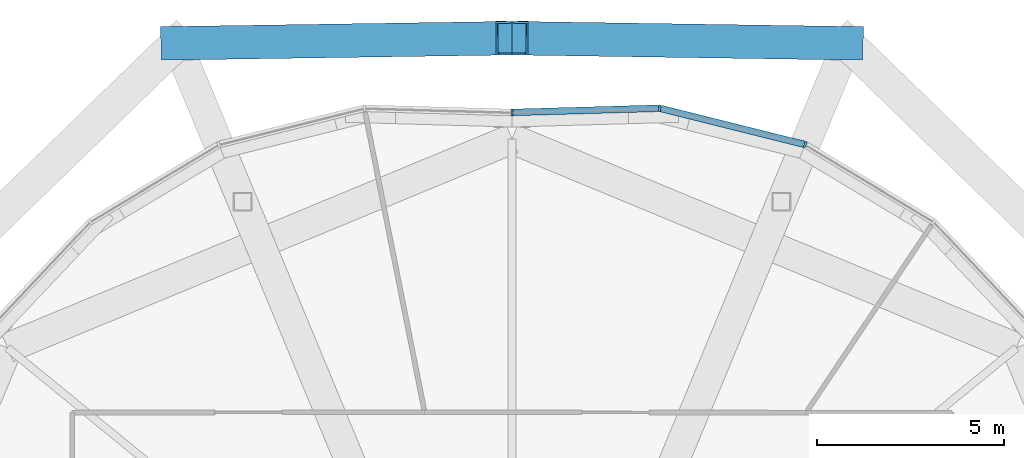
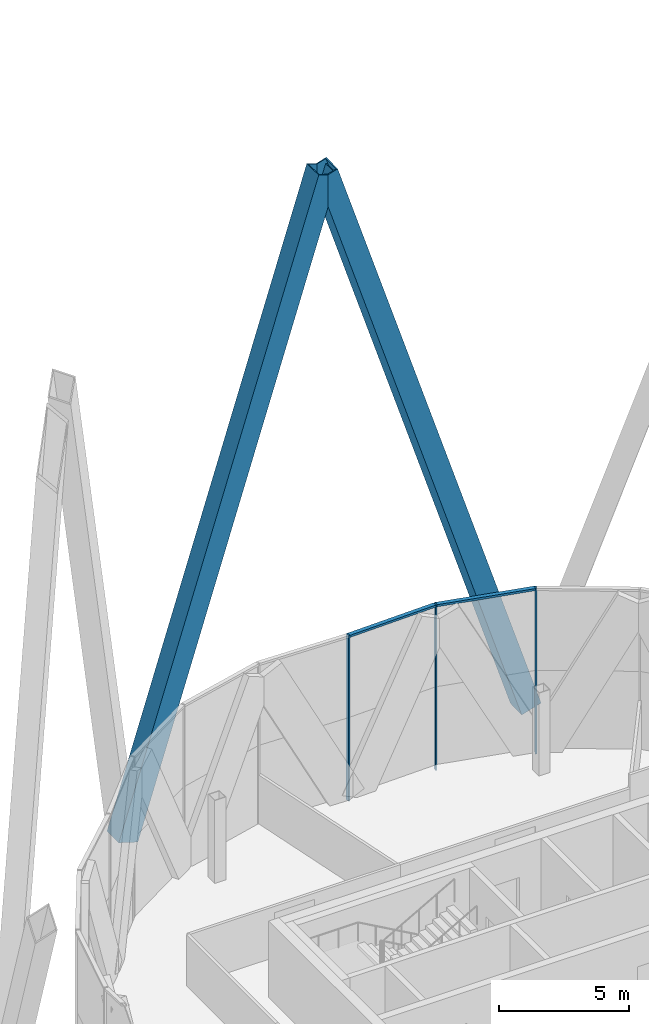
# One storey, part 20 of 53: 7 members, 1 element without a shape of its own.
"""IFC4 building model written with IfcOpenShell, lengths in metres."""

from ifc_helpers import new_model, si_unit, direction, frame, origin, origin_2d, place, context, subcontext, project, spatial, rectangle, hollow_rectangle, extrude, material, material_profile, profile_set, type_object, element, aggregate, save


model = new_model("IFC4")

# Units and contexts
model_context = context("Model", 3, precision=1e-05, world=origin(), true_north=direction((0.0, 1.0)))
body_context = subcontext(model_context, "Body", "Model", "MODEL_VIEW")
ifc_project = project(units=[si_unit("LENGTHUNIT", "METRE"), si_unit("AREAUNIT", "SQUARE_METRE"), si_unit("VOLUMEUNIT", "CUBIC_METRE"), si_unit("PLANEANGLEUNIT", "RADIAN"), si_unit("MASSUNIT", "GRAM", prefix="KILO")], contexts=[model_context])

# Site, building, storey
site_placement = place(None, origin())
site = spatial("IfcSite", under=ifc_project, at=site_placement, CompositionType="ELEMENT")
building_placement = place(site_placement, origin())
building = spatial("IfcBuilding", under=site, at=building_placement, Name="Ogive Gate Towers", CompositionType="ELEMENT")
storey_placement = place(building_placement, frame((0.0, 0.0, 240.60009765625)))
storey = spatial("IfcBuildingStorey", under=building, at=storey_placement, Name="L57", CompositionType="ELEMENT", Elevation=240.60009765625)

# Members
ifc_material_1 = material(Name="Steel SM460", Category="steel")
ifc_material_profile_1 = material_profile(ifc_material_1, hollow_rectangle(XDim=0.89990234375, YDim=0.89990234375, WallThickness=0.050048828125, at=origin_2d()), Name="BX 900x900x50")
ifc_profile_set_1 = profile_set([ifc_material_profile_1], Name="Steel SM460")
member_type_1 = type_object("IfcMemberType", Name="Diagrid diagonal BX 900x900x50", PredefinedType="BRACE", material=ifc_profile_set_1)
for number, where, z_axis, x_axis, name in (
    (1, (-27.022216796875, 21.67431640625, 0.0), (-0.303356073086, 0.00458667981, 0.952866231582), (-0.015118061019, -0.999885715585, 0.0), "T1/L57/SDG004"),
    (2, (-44.977783203125, 21.67431640625, 0.0), (0.303356073086, 0.00458667981, 0.952866231582), (-0.015118061019, 0.999885715585, 0.0), "T1/L57/SDG005"),
):
    element("IfcMember", number, at=place(storey_placement, frame(where, z_axis=z_axis, x_axis=x_axis)), inside=storey, type_object=member_type_1, Name=name, PredefinedType="BRACE", context=body_context, shape_type="SweptSolid", body=[
        extrude(hollow_rectangle(XDim=0.89990234375, YDim=0.89990234375, WallThickness=0.050048828125, at=origin_2d()), origin(), (0.0, 0.0, 1.0), 29.594970703125),
    ])

# Curtain wall, members
ifc_material_2 = material(Name="Pale metal aluminium", Category="aluminium")
curtain_wall_type = type_object("IfcCurtainWallType", Name="Tower unitised wall, high zone", PredefinedType="NOTDEFINED", material=ifc_material_2)
curtain_wall_placement = place(storey_placement, origin())
curtain_wall = element("IfcCurtainWall", 3, at=curtain_wall_placement, inside=storey, type_object=curtain_wall_type, Name="CW2 T1 ECW04", PredefinedType="NOTDEFINED")
ifc_material_profile_2 = material_profile(ifc_material_2, rectangle(XDim=0.179931640625, YDim=0.06005859375, at=origin_2d()), Name="60 x 180 aluminium box")
ifc_profile_set_2 = profile_set([ifc_material_profile_2], Name="Pale metal aluminium")
member_type_2 = type_object("IfcMemberType", Name="Tower unitised wall, high zone mullion 60 x 180", PredefinedType="MULLION", material=ifc_profile_set_2)
member_1_placement = place(storey_placement, frame((-36.000244140625, 19.820068359375, -0.300048828125), z_axis=(0.0, 0.0, 1.0), x_axis=(0.028322905681, -0.999598826037, 0.0)))
member_1 = element("IfcMember", 4, at=member_1_placement, type_object=member_type_2, Name="CW2 mullion", PredefinedType="MULLION", context=body_context, shape_type="SweptSolid", body=[
    extrude(rectangle(XDim=0.179931640625, YDim=0.06005859375, at=origin_2d()), origin(), (0.0, 0.0, 1.0), 7.800048828125),
])
member_2_placement = place(storey_placement, frame((-32.045166015625, 19.931884765625, -0.300048828125), z_axis=(0.0, 0.0, 1.0), x_axis=(-0.107912599257, -0.994160384909, 0.0)))
member_2 = element("IfcMember", 5, at=member_2_placement, type_object=member_type_2, Name="CW2 mullion", PredefinedType="MULLION", context=body_context, shape_type="SweptSolid", body=[
    extrude(rectangle(XDim=0.179931640625, YDim=0.06005859375, at=origin_2d()), origin(), (0.0, 0.0, 1.0), 7.800048828125),
])
member_3_placement = place(storey_placement, frame((-28.14697265625, 18.958984375, -0.300048828125), z_axis=(0.0, 0.0, 1.0), x_axis=(-0.382683432365, -0.923879532511, 0.0)))
member_3 = element("IfcMember", 6, at=member_3_placement, type_object=member_type_2, Name="CW2 mullion", PredefinedType="MULLION", context=body_context, shape_type="SweptSolid", body=[
    extrude(rectangle(XDim=0.179931640625, YDim=0.06005859375, at=origin_2d()), origin(), (0.0, 0.0, 1.0), 7.800048828125),
])
ifc_material_profile_3 = material_profile(ifc_material_2, rectangle(XDim=0.179931640625, YDim=0.10009765625, at=origin_2d()), Name="100 x 180 aluminium box")
ifc_profile_set_3 = profile_set([ifc_material_profile_3], Name="Pale metal aluminium")
member_type_3 = type_object("IfcMemberType", Name="Tower unitised wall, high zone transom 100 x 180", PredefinedType="USERDEFINED", material=ifc_profile_set_3)
member_4_placement = place(storey_placement, frame((-35.97021484375, 19.82080078125, 7.449951171875), z_axis=(0.999598604155, 0.028330735458, 0.0), x_axis=(-0.028330735458, 0.999598604155, 0.0)))
member_4 = element("IfcMember", 7, at=member_4_placement, type_object=member_type_3, Name="CW2 transom", ObjectType="TRANSOM", PredefinedType="USERDEFINED", context=body_context, shape_type="SweptSolid", body=[
    extrude(rectangle(XDim=0.179931640625, YDim=0.10009765625, at=origin_2d()), origin(), (0.0, 0.0, 1.0), 3.89501953125),
])
member_5_placement = place(storey_placement, frame((-32.014892578125, 19.92431640625, 7.449951171875), z_axis=(0.970251335251, -0.24209986874, 0.0), x_axis=(0.24209986874, 0.970251335251, 0.0)))
member_5 = element("IfcMember", 8, at=member_5_placement, type_object=member_type_3, Name="CW2 transom", ObjectType="TRANSOM", PredefinedType="USERDEFINED", context=body_context, shape_type="SweptSolid", body=[
    extrude(rectangle(XDim=0.179931640625, YDim=0.10009765625, at=origin_2d()), origin(), (0.0, 0.0, 1.0), 3.955078125),
])
aggregate(curtain_wall, [member_1, member_2, member_4, member_3, member_5])

save(model, "model.ifc")
